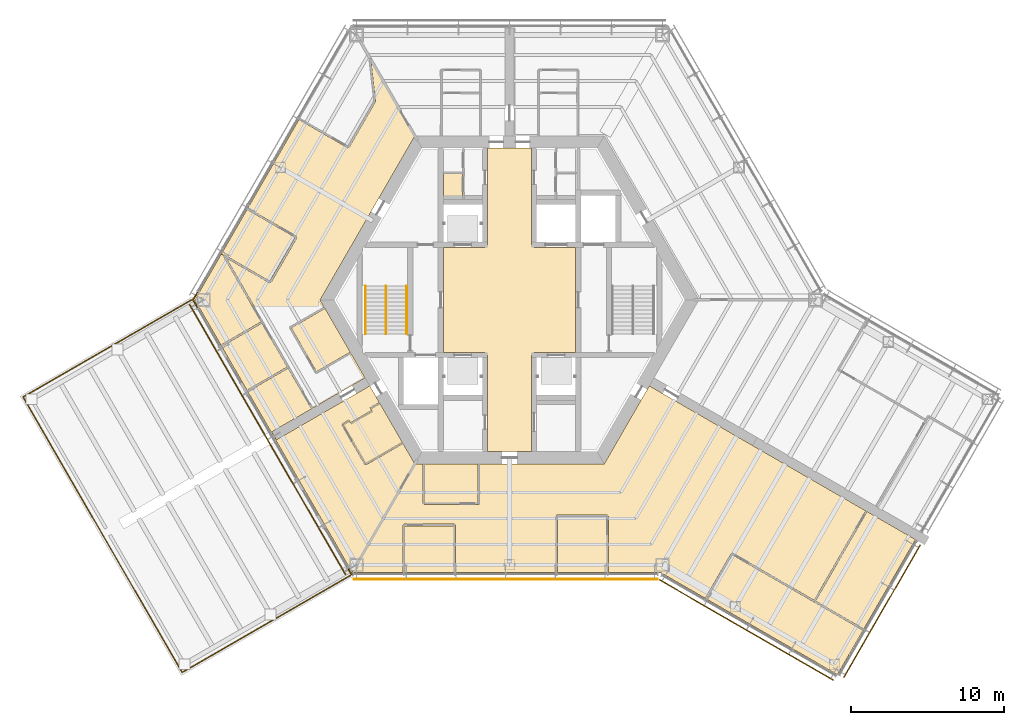
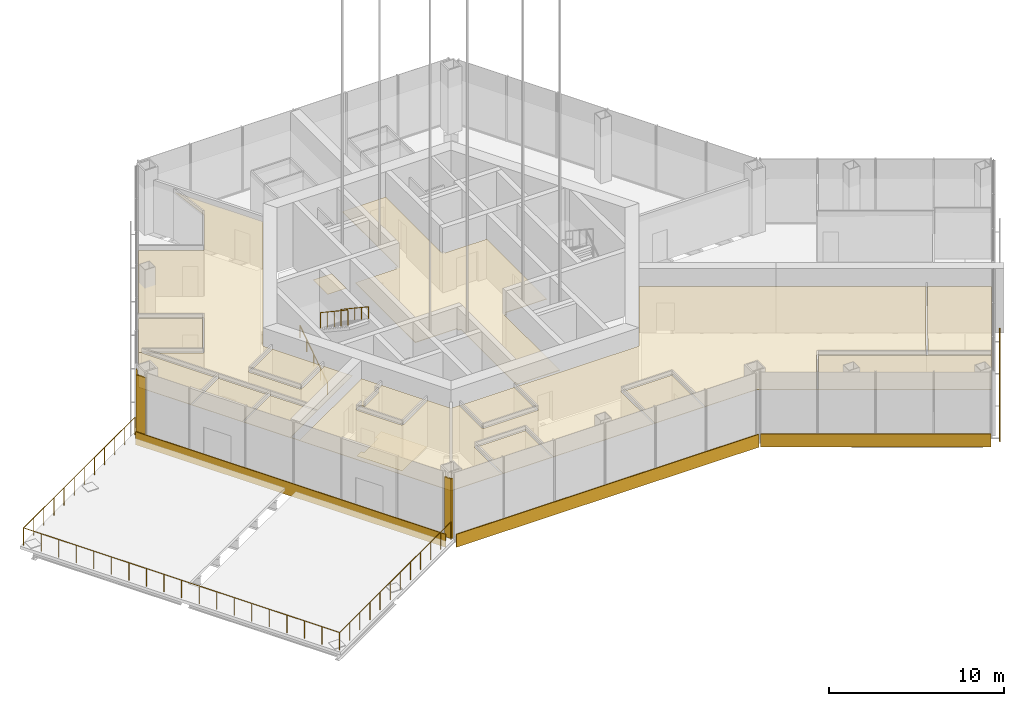
# One storey, part 15 of 17: 19 coverings, 4 railings, 4 shading devices.
"""IFC4 building model written with IfcOpenShell, lengths in metres."""

from ifc_helpers import new_model, si_unit, direction, frame, origin, origin_2d, place, context, subcontext, project, spatial, polyline, rectangle, circle, outline, extrude, material, layer, layer_set, type_object, element, save


model = new_model("IFC4")

# Units and contexts
model_context = context("Model", 3, precision=1e-05, world=origin(), true_north=direction((0.0, 1.0)))
body_context = subcontext(model_context, "Body", "Model", "MODEL_VIEW")
ifc_project = project(units=[si_unit("LENGTHUNIT", "METRE"), si_unit("AREAUNIT", "SQUARE_METRE"), si_unit("VOLUMEUNIT", "CUBIC_METRE"), si_unit("PLANEANGLEUNIT", "RADIAN"), si_unit("MASSUNIT", "GRAM", prefix="KILO")], contexts=[model_context])

# Site, building, storey
site_placement = place(None, origin())
site = spatial("IfcSite", under=ifc_project, at=site_placement, CompositionType="ELEMENT")
building_placement = place(site_placement, origin())
building = spatial("IfcBuilding", under=site, at=building_placement, Name="Kasaneha Research Tower", CompositionType="ELEMENT")
storey_placement = place(building_placement, frame((0.0, 0.0, 208.300048828125)))
storey = spatial("IfcBuildingStorey", under=building, at=storey_placement, Name="L52", CompositionType="ELEMENT", Elevation=208.300048828125)

# Coverings
ifc_material_1 = material(Name="Perforated aluminium acoustic ceiling", Category="aluminium")
ifc_layer_1 = layer(ifc_material_1, 0.030029296875)
ifc_layer_set_1 = layer_set([ifc_layer_1], Name="Acoustic ceiling 30")
covering_type_1 = type_object("IfcCoveringType", Name="Acoustic ceiling 30", PredefinedType="CEILING", material=ifc_layer_set_1)
covering_1_placement = place(storey_placement, frame((0.0, 0.0, 3.199951171875)))
element("IfcCovering", 1, at=covering_1_placement, inside=storey, type_object=covering_type_1, Name="Ceiling L52-36", PredefinedType="CEILING", context=body_context, shape_type="SweptSolid", body=[
    extrude(outline(polyline([(-17.140869140625, 5.952392578125), (-17.12353515625, 5.9423828125), (-17.1484375, 5.899169921875), (-14.0048828125, 4.083984375), (-15.66259765625, 1.212890625), (-18.642578125, 2.933349609375), (-18.66748046875, 2.89013671875), (-18.848388671875, 2.994384765625), (-17.140869140625, 5.952392578125)])), origin(), (0.0, 0.0, 1.0), 0.030029296875),
])
covering_2_placement = place(storey_placement, frame((0.0, 0.0, 3.199951171875)))
element("IfcCovering", 2, at=covering_2_placement, inside=storey, type_object=covering_type_1, Name="Ceiling L52-37", PredefinedType="CEILING", context=body_context, shape_type="SweptSolid", body=[
    extrude(outline(polyline([(-10.38818359375, -3.457275390625), (-10.4052734375, -3.46728515625), (-10.430419921875, -3.423828125), (-12.62158203125, -4.68896484375), (-14.271484375, -1.8310546875), (-12.080322265625, -0.566162109375), (-12.10546875, -0.522705078125), (-12.088134765625, -0.5126953125), (-10.38818359375, -3.457275390625)])), origin(), (0.0, 0.0, 1.0), 0.030029296875),
])
covering_3_placement = place(storey_placement, frame((0.0, 0.0, 3.199951171875)))
element("IfcCovering", 3, at=covering_3_placement, inside=storey, type_object=covering_type_1, Name="Ceiling L52-38", PredefinedType="CEILING", context=body_context, shape_type="SweptSolid", body=[
    extrude(outline(polyline([(-18.848388671875, -2.994384765625), (-18.822509765625, -2.9794921875), (-18.797607421875, -3.02294921875), (-16.183349609375, -1.51904296875), (-14.530517578125, -4.3818359375), (-17.1484375, -5.899169921875), (-17.12353515625, -5.9423828125), (-17.140869140625, -5.952392578125), (-18.848388671875, -2.994384765625)])), origin(), (0.0, 0.0, 1.0), 0.030029296875),
])
covering_4_placement = place(storey_placement, frame((0.0, 0.0, 3.199951171875)))
element("IfcCovering", 4, at=covering_4_placement, inside=storey, type_object=covering_type_1, Name="Ceiling L52-39", PredefinedType="CEILING", context=body_context, shape_type="SweptSolid", body=[
    extrude(outline(polyline([(-15.539794921875, -8.62548828125), (-15.539794921875, -8.62548828125), (-15.3896484375, -8.88525390625), (-15.43310546875, -8.91015625), (-17.140869140625, -5.952392578125), (-17.12353515625, -5.9423828125), (-17.098388671875, -5.985595703125), (-14.48046875, -4.468505859375), (-12.95166015625, -7.108154296875), (-12.908447265625, -7.0830078125), (-12.8984375, -7.100341796875), (-15.539794921875, -8.62548828125), (-15.539794921875, -8.62548828125)])), origin(), (0.0, 0.0, 1.0), 0.030029296875),
])
covering_5_placement = place(storey_placement, frame((0.0, 0.0, 3.199951171875)))
element("IfcCovering", 5, at=covering_5_placement, inside=storey, type_object=covering_type_1, Name="Ceiling L52-40", PredefinedType="CEILING", context=body_context, shape_type="SweptSolid", body=[
    extrude(outline(polyline([(-18.8486328125, 2.99462890625), (-18.667724609375, 2.889892578125), (-18.7109375, 2.864990234375), (-16.2333984375, -1.4326171875), (-18.847412109375, -2.936279296875), (-18.822509765625, -2.9794921875), (-18.848388671875, -2.994384765625), (-20.577880859375, 0.000244140625), (-18.8486328125, 2.99462890625)])), origin(), (0.0, 0.0, 1.0), 0.030029296875),
])
covering_6_placement = place(storey_placement, frame((0.0, 0.0, 3.199951171875)))
element("IfcCovering", 6, at=covering_6_placement, inside=storey, type_object=covering_type_1, Name="Ceiling L52-41", PredefinedType="CEILING", context=body_context, shape_type="SweptSolid", body=[
    extrude(outline(polyline([(-14.340087890625, -1.81298828125), (-14.383056640625, -1.837890625), (-12.68310546875, -4.7822265625), (-12.64013671875, -4.757568359375), (-12.64013671875, -4.757568359375), (-12.639892578125, -4.75732421875), (-12.61474609375, -4.800537109375), (-10.38037109375, -3.510498046875), (-10.405029296875, -3.467529296875), (-10.387939453125, -3.457763671875), (-9.438232421875, -5.102783203125), (-10.30419921875, -5.602783203125), (-10.30419921875, -5.602783203125), (-11.170166015625, -6.102783203125), (-11.170166015625, -6.102783203125), (-12.89794921875, -7.10009765625), (-12.907958984375, -7.082763671875), (-12.864990234375, -7.05810546875), (-14.41650390625, -4.379638671875), (-16.124267578125, -1.421630859375), (-18.53125, 2.75341796875), (-15.669189453125, 1.101318359375), (-15.644287109375, 1.14453125), (-15.643798828125, 1.144287109375), (-15.643798828125, 1.144287109375), (-15.600830078125, 1.119384765625), (-13.893310546875, 4.077392578125), (-13.93603515625, 4.102294921875), (-13.93603515625, 4.1025390625), (-13.936279296875, 4.102783203125), (-13.91162109375, 4.145751953125), (-17.098388671875, 5.985595703125), (-17.123291015625, 5.94287109375), (-17.140380859375, 5.952880859375), (-13.74755859375, 11.82958984375), (-13.7216796875, 11.814453125), (-13.746337890625, 11.771728515625), (-10.568115234375, 9.9365234375), (-10.54296875, 9.97998046875), (-10.542724609375, 9.979736328125), (-10.542724609375, 9.979736328125), (-10.499755859375, 9.954833984375), (-8.76904296875, 12.95068359375), (-8.812255859375, 12.975830078125), (-8.7626953125, 12.9814453125), (-9.077880859375, 15.7236328125), (-6.192138671875, 10.72509765625), (-12.38427734375, 0.0), (-12.08837890625, -0.512451171875), (-12.105712890625, -0.522216796875), (-12.13037109375, -0.4794921875), (-14.36474609375, -1.76953125), (-14.340087890625, -1.8125), (-14.34033203125, -1.812744140625), (-14.340087890625, -1.81298828125)])), origin(), (0.0, 0.0, 1.0), 0.030029296875),
])
covering_7_placement = place(storey_placement, frame((0.0, 0.0, 3.199951171875)))
element("IfcCovering", 7, at=covering_7_placement, inside=storey, type_object=covering_type_1, Name="Ceiling L52-42", PredefinedType="CEILING", context=body_context, shape_type="SweptSolid", body=[
    extrude(outline(polyline([(-10.3798828125, -8.0712890625), (-10.3798828125, -8.0712890625), (-10.35498046875, -8.114501953125), (-8.96923828125, -7.314697265625), (-9.019287109375, -7.22802734375), (-9.019287109375, -7.22802734375), (-9.09423828125, -7.09814453125), (-9.09423828125, -7.09814453125), (-9.0693359375, -7.141357421875), (-8.48046875, -6.801513671875), (-8.50537109375, -6.758056640625), (-8.488037109375, -6.748046875), (-6.988037109375, -9.34619140625), (-7.00537109375, -9.356201171875), (-7.030517578125, -9.31298828125), (-9.394775390625, -10.677978515625), (-10.8447265625, -8.16650390625), (-10.455078125, -7.94140625), (-10.3798828125, -8.0712890625)])), origin(), (0.0, 0.0, 1.0), 0.030029296875),
])
covering_8_placement = place(storey_placement, frame((0.0, 0.0, 3.199951171875)))
element("IfcCovering", 8, at=covering_8_placement, inside=storey, type_object=covering_type_1, Name="Ceiling L52-43", PredefinedType="CEILING", context=body_context, shape_type="SweptSolid", body=[
    extrude(outline(polyline([(-10.8701171875, -6.622314453125), (-10.004150390625, -6.122314453125), (-10.004150390625, -6.122314453125), (-9.13818359375, -5.622314453125), (-8.48828125, -6.747802734375), (-8.505615234375, -6.757568359375), (-8.530517578125, -6.71484375), (-9.119384765625, -7.0546875), (-9.094482421875, -7.09765625), (-9.0947265625, -7.097900390625), (-9.019775390625, -7.228271484375), (-10.404541015625, -8.02783203125), (-10.47998046875, -7.897705078125), (-10.480224609375, -7.897705078125), (-10.5048828125, -7.854736328125), (-10.93798828125, -8.104736328125), (-10.9130859375, -8.148193359375), (-10.956298828125, -8.173095703125), (-9.456298828125, -10.771240234375), (-9.413330078125, -10.746337890625), (-9.413330078125, -10.74658203125), (-9.412841796875, -10.746337890625), (-9.387939453125, -10.78955078125), (-6.98046875, -9.3994140625), (-7.005126953125, -9.356689453125), (-6.98779296875, -9.3466796875), (-6.192138671875, -10.72509765625), (-10.28857421875, -17.820556640625), (-15.43310546875, -8.91015625), (-15.3896484375, -8.88525390625), (-15.23974609375, -9.14501953125), (-15.23974609375, -9.14501953125), (-15.23974609375, -9.14501953125), (-10.8701171875, -6.622314453125), (-10.8701171875, -6.622314453125)])), origin(), (0.0, 0.0, 1.0), 0.030029296875),
])
covering_9_placement = place(storey_placement, frame((0.0, 0.0, 3.199951171875)))
element("IfcCovering", 9, at=covering_9_placement, inside=storey, type_object=covering_type_1, Name="Ceiling L52-47", PredefinedType="CEILING", context=body_context, shape_type="SweptSolid", body=[
    extrude(outline(polyline([(3.077392578125, -17.820556640625), (3.077392578125, -17.800537109375), (3.12744140625, -17.800537109375), (3.12744140625, -14.17041015625), (6.3583984375, -14.17041015625), (6.3583984375, -17.800537109375), (6.408203125, -17.800537109375), (6.408203125, -17.820556640625), (3.077392578125, -17.820556640625)])), origin(), (0.0, 0.0, 1.0), 0.030029296875),
])
covering_10_placement = place(storey_placement, frame((0.0, 0.0, 3.199951171875)))
element("IfcCovering", 10, at=covering_10_placement, inside=storey, type_object=covering_type_1, Name="Ceiling L52-48", PredefinedType="CEILING", context=body_context, shape_type="SweptSolid", body=[
    extrude(outline(polyline([(21.44140625, -24.50390625), (12.84228515625, -19.538818359375), (12.857177734375, -19.5126953125), (12.900390625, -19.537841796875), (14.560546875, -16.66259765625), (19.90771484375, -19.749755859375), (19.90771484375, -19.75), (23.09033203125, -21.58740234375), (23.115234375, -21.544189453125), (23.1416015625, -21.559326171875), (21.44140625, -24.50390625)])), origin(), (0.0, 0.0, 1.0), 0.030029296875),
])
covering_11_placement = place(storey_placement, frame((0.0, 0.0, 3.199951171875)))
element("IfcCovering", 11, at=covering_11_placement, inside=storey, type_object=covering_type_1, Name="Ceiling L52-49", PredefinedType="CEILING", context=body_context, shape_type="SweptSolid", body=[
    extrude(outline(polyline([(23.141357421875, -21.55908203125), (23.115478515625, -21.5439453125), (23.140380859375, -21.5009765625), (20.00927734375, -19.693115234375), (23.370361328125, -13.8623046875), (23.3271484375, -13.83740234375), (23.337158203125, -13.820068359375), (25.53515625, -15.089111328125), (26.541259765625, -15.670166015625), (23.141357421875, -21.55908203125)])), origin(), (0.0, 0.0, 1.0), 0.030029296875),
])
covering_12_placement = place(storey_placement, frame((0.0, 0.0, 3.199951171875)))
element("IfcCovering", 12, at=covering_12_placement, inside=storey, type_object=covering_type_1, Name="Ceiling L52-50", PredefinedType="CEILING", context=body_context, shape_type="SweptSolid", body=[
    extrude(outline(polyline([(-2.0, -10.72509765625), (-2.0, -10.7451171875), (-2.050048828125, -10.7451171875), (-2.050048828125, -13.27490234375), (-5.550048828125, -13.27490234375), (-5.550048828125, -10.7451171875), (-5.60009765625, -10.7451171875), (-5.60009765625, -10.72509765625), (-2.0, -10.72509765625)])), origin(), (0.0, 0.0, 1.0), 0.030029296875),
])
covering_13_placement = place(storey_placement, frame((0.0, 0.0, 3.199951171875)))
element("IfcCovering", 13, at=covering_13_placement, inside=storey, type_object=covering_type_1, Name="Ceiling L52-51", PredefinedType="CEILING", context=body_context, shape_type="SweptSolid", body=[
    extrude(outline(polyline([(-6.91552734375, -17.820556640625), (-6.91552734375, -17.800537109375), (-6.865478515625, -17.800537109375), (-6.865478515625, -14.7705078125), (-3.634521484375, -14.7705078125), (-3.634521484375, -17.800537109375), (-3.58447265625, -17.800537109375), (-3.58447265625, -17.820556640625), (-6.91552734375, -17.820556640625)])), origin(), (0.0, 0.0, 1.0), 0.030029296875),
])
covering_14_placement = place(storey_placement, frame((0.0, 0.0, 3.199951171875)))
element("IfcCovering", 14, at=covering_14_placement, inside=storey, type_object=covering_type_1, Name="Ceiling L52-52", PredefinedType="CEILING", context=body_context, shape_type="SweptSolid", body=[
    extrude(outline(polyline([(-5.6005859375, -10.72509765625), (-5.6005859375, -10.7451171875), (-5.64990234375, -10.7451171875), (-5.64990234375, -13.324951171875), (-5.60009765625, -13.324951171875), (-5.60009765625, -13.325439453125), (-5.60009765625, -13.375), (-2.0, -13.375), (-2.0, -13.325439453125), (-1.999755859375, -13.325439453125), (-1.999755859375, -13.324951171875), (-1.949951171875, -13.324951171875), (-1.949951171875, -10.7451171875), (-1.99951171875, -10.7451171875), (-1.99951171875, -10.72509765625), (6.192138671875, -10.72509765625), (9.13818359375, -5.622314453125), (10.004150390625, -6.122314453125), (10.004150390625, -6.122314453125), (10.8701171875, -6.622314453125), (10.8701171875, -6.622314453125), (23.336669921875, -13.81982421875), (23.32666015625, -13.837158203125), (23.28369140625, -13.8125), (19.922607421875, -19.64306640625), (14.567138671875, -16.551025390625), (14.54248046875, -16.593994140625), (14.542236328125, -16.59375), (14.5419921875, -16.59423828125), (14.498779296875, -16.5693359375), (12.81396484375, -19.48779296875), (12.856689453125, -19.512451171875), (12.841796875, -19.53857421875), (9.865966796875, -17.820556640625), (6.40869140625, -17.820556640625), (6.40869140625, -17.800537109375), (6.458251953125, -17.800537109375), (6.458251953125, -14.12060546875), (6.408447265625, -14.12060546875), (6.408447265625, -14.1201171875), (6.408203125, -14.1201171875), (6.408203125, -14.070556640625), (3.077392578125, -14.070556640625), (3.077392578125, -14.1201171875), (3.076904296875, -14.1201171875), (3.076904296875, -14.12060546875), (3.02734375, -14.12060546875), (3.02734375, -17.800537109375), (3.076904296875, -17.800537109375), (3.076904296875, -17.820556640625), (-3.583984375, -17.820556640625), (-3.583984375, -17.800537109375), (-3.534423828125, -17.800537109375), (-3.534423828125, -14.720458984375), (-3.58447265625, -14.720458984375), (-3.58447265625, -14.67041015625), (-6.91552734375, -14.67041015625), (-6.91552734375, -14.72021484375), (-6.915771484375, -14.72021484375), (-6.915771484375, -14.720458984375), (-6.965576171875, -14.720458984375), (-6.965576171875, -17.800537109375), (-6.916015625, -17.800537109375), (-6.916015625, -17.820556640625), (-10.28857421875, -17.820556640625), (-6.192138671875, -10.72509765625), (-5.6005859375, -10.72509765625)])), origin(), (0.0, 0.0, 1.0), 0.030029296875),
])
ifc_material_2 = material(Name="Terracotta", Category="masonry")
covering_type_2 = type_object("IfcCoveringType", Name="Corner pier cladding", PredefinedType="CLADDING", material=ifc_material_2)
covering_15_placement = place(storey_placement, origin())
element("IfcCovering", 15, at=covering_15_placement, inside=storey, type_object=covering_type_2, Name="Corner pier cladding L52 V3", PredefinedType="CLADDING", context=body_context, shape_type="SweptSolid", body=[
    extrude(outline(polyline([(-20.348388671875, 0.496337890625), (-20.375244140625, 0.449951171875), (-20.449951171875, 0.449951171875), (-20.449951171875, 0.320556640625), (-20.635009765625, 0.0), (-20.449951171875, -0.320556640625), (-20.449951171875, -0.449951171875), (-20.375244140625, -0.449951171875), (-20.348388671875, -0.496337890625), (-20.426513671875, -0.54150390625), (-20.739013671875, 0.0), (-20.426513671875, 0.54150390625), (-20.348388671875, 0.496337890625)])), origin(), (0.0, 0.0, 1.0), 4.15185546875),
])
covering_16_placement = place(storey_placement, origin())
element("IfcCovering", 16, at=covering_16_placement, inside=storey, type_object=covering_type_2, Name="Corner pier cladding L52 V4", PredefinedType="CLADDING", context=body_context, shape_type="SweptSolid", body=[
    extrude(outline(polyline([(-10.511474609375, -17.53466796875), (-10.449951171875, -17.64111328125), (-10.449951171875, -17.7705078125), (-10.375244140625, -17.7705078125), (-10.317626953125, -17.87060546875), (-10.247314453125, -17.87060546875), (-10.247314453125, -17.96044921875), (-10.369384765625, -17.96044921875), (-10.58935546875, -17.57958984375), (-10.511474609375, -17.53466796875)])), origin(), (0.0, 0.0, 1.0), 4.15185546875),
])
ifc_material_3 = material(Name="Aluminium panel ceiling", Category="aluminium")
ifc_layer_2 = layer(ifc_material_3, 0.0400390625)
ifc_layer_set_2 = layer_set([ifc_layer_2], Name="Lift lobby ceiling 40")
covering_type_3 = type_object("IfcCoveringType", Name="Lift lobby ceiling 40", PredefinedType="CEILING", material=ifc_layer_set_2)
covering_17_placement = place(storey_placement, frame((0.0, 0.0, 2.699951171875)))
element("IfcCovering", 17, at=covering_17_placement, inside=storey, type_object=covering_type_3, Name="Ceiling L52-01", PredefinedType="CEILING", context=body_context, shape_type="SweptSolid", body=[
    extrude(outline(polyline([(1.425048828125, 9.925048828125), (1.425048828125, 3.60009765625), (1.60009765625, 3.60009765625), (1.60009765625, 3.425048828125), (4.324951171875, 3.425048828125), (4.324951171875, -3.425048828125), (1.60009765625, -3.425048828125), (1.60009765625, -3.60009765625), (1.425048828125, -3.60009765625), (1.425048828125, -9.925048828125), (-1.425048828125, -9.925048828125), (-1.425048828125, -3.60009765625), (-1.60009765625, -3.60009765625), (-1.60009765625, -3.425048828125), (-4.324951171875, -3.425048828125), (-4.324951171875, 3.425048828125), (-1.60009765625, 3.425048828125), (-1.60009765625, 3.60009765625), (-1.425048828125, 3.60009765625), (-1.425048828125, 9.925048828125), (1.425048828125, 9.925048828125)])), origin(), (0.0, 0.0, 1.0), 0.0400390625),
])

# Railings
ifc_material_4 = material(Name="Steel", Category="steel")
railing_type_1 = type_object("IfcRailingType", Name="Stair balustrade 1100", PredefinedType="GUARDRAIL", material=ifc_material_4)
railing_1_placement = place(storey_placement, frame((-8.074951171875, 0.89501953125, 2.423095703125)))
element("IfcRailing", 18, at=railing_1_placement, inside=storey, type_object=railing_type_1, Name="Stair 2 balustrade L52", PredefinedType="GUARDRAIL", context=body_context, shape_type="SweptSolid", body=[
    extrude(circle(Radius=0.02392578125, at=origin_2d()), frame((0.0, 0.0, 1.076171875), z_axis=(0.0, -0.83244090515, 0.554113832559), x_axis=(1.0, 0.0, 0.0)), (0.0, 0.0, 1.0), 3.748046875),
    extrude(circle(Radius=0.02099609375, at=origin_2d()), origin(), (0.0, 0.0, 1.0), 1.052001953125),
    extrude(circle(Radius=0.02099609375, at=origin_2d()), frame((0.0, -0.780029296875, 0.519287109375)), (0.0, 0.0, 1.0), 1.052001953125),
    extrude(circle(Radius=0.02099609375, at=origin_2d()), frame((0.0, -1.56005859375, 1.03857421875)), (0.0, 0.0, 1.0), 1.052001953125),
    extrude(circle(Radius=0.02099609375, at=origin_2d()), frame((0.0, -2.340087890625, 1.5576171875)), (0.0, 0.0, 1.0), 1.052001953125),
    extrude(circle(Radius=0.02099609375, at=origin_2d()), frame((0.0, -3.1201171875, 2.076904296875)), (0.0, 0.0, 1.0), 1.052001953125),
])
ifc_material_5 = material(Name="Steel", Category="steel")
railing_type_2 = type_object("IfcRailingType", Name="Stair handrail 850", PredefinedType="HANDRAIL", material=ifc_material_5)
railing_2_placement = place(storey_placement, frame((-9.425048828125, -2.22509765625, 0.173095703125)))
element("IfcRailing", 19, at=railing_2_placement, inside=storey, type_object=railing_type_2, Name="Stair 2 handrail L52", PredefinedType="HANDRAIL", context=body_context, shape_type="SweptSolid", body=[
    extrude(circle(Radius=0.02392578125, at=origin_2d()), frame((0.0, 0.0, 0.826171875), z_axis=(0.0, 0.83244090515, 0.554113832559), x_axis=(-1.0, 0.0, 0.0)), (0.0, 0.0, 1.0), 3.748046875),
    extrude(circle(Radius=0.02099609375, at=origin_2d()), origin(), (0.0, 0.0, 1.0), 0.802001953125),
    extrude(circle(Radius=0.02099609375, at=origin_2d()), frame((0.0, 0.780029296875, 0.519287109375)), (0.0, 0.0, 1.0), 0.802001953125),
    extrude(circle(Radius=0.02099609375, at=origin_2d()), frame((0.0, 1.56005859375, 1.03857421875)), (0.0, 0.0, 1.0), 0.802001953125),
    extrude(circle(Radius=0.02099609375, at=origin_2d()), frame((0.0, 2.340087890625, 1.5576171875)), (0.0, 0.0, 1.0), 0.802001953125),
    extrude(circle(Radius=0.02099609375, at=origin_2d()), frame((0.0, 3.1201171875, 2.076904296875)), (0.0, 0.0, 1.0), 0.802001953125),
])
railing_3_placement = place(storey_placement, frame((-6.72509765625, 0.89501953125, 2.423095703125)))
element("IfcRailing", 20, at=railing_3_placement, inside=storey, type_object=railing_type_2, Name="Stair 2 handrail L52", PredefinedType="HANDRAIL", context=body_context, shape_type="SweptSolid", body=[
    extrude(circle(Radius=0.02392578125, at=origin_2d()), frame((0.0, 0.0, 0.826171875), z_axis=(0.0, -0.83244090515, 0.554113832559), x_axis=(1.0, 0.0, 0.0)), (0.0, 0.0, 1.0), 3.748046875),
    extrude(circle(Radius=0.02099609375, at=origin_2d()), origin(), (0.0, 0.0, 1.0), 0.802001953125),
    extrude(circle(Radius=0.02099609375, at=origin_2d()), frame((0.0, -0.780029296875, 0.519287109375)), (0.0, 0.0, 1.0), 0.802001953125),
    extrude(circle(Radius=0.02099609375, at=origin_2d()), frame((0.0, -1.56005859375, 1.03857421875)), (0.0, 0.0, 1.0), 0.802001953125),
    extrude(circle(Radius=0.02099609375, at=origin_2d()), frame((0.0, -2.340087890625, 1.5576171875)), (0.0, 0.0, 1.0), 0.802001953125),
    extrude(circle(Radius=0.02099609375, at=origin_2d()), frame((0.0, -3.1201171875, 2.076904296875)), (0.0, 0.0, 1.0), 0.802001953125),
])
ifc_material_6 = material(Name="Steel and laminated glass", Category="steel")
railing_type_3 = type_object("IfcRailingType", Name="Terrace guard 1250", PredefinedType="GUARDRAIL", material=ifc_material_6)
railing_4_placement = place(storey_placement, frame((-10.40625, -18.016845703125, 0.0)))
element("IfcRailing", 21, at=railing_4_placement, inside=storey, type_object=railing_type_3, Name="Terrace guard B L52", PredefinedType="GUARDRAIL", context=body_context, shape_type="SweptSolid", body=[
    extrude(circle(Radius=0.02392578125, at=origin_2d()), frame((0.0, 0.0, 1.22607421875), z_axis=(-0.866022320763, -0.500005339912, 0.0), x_axis=(0.500005339912, -0.866022320763, 0.0)), (0.0, 0.0, 1.0), 12.699951171875),
    extrude(circle(Radius=0.02392578125, at=origin_2d()), frame((-10.99853515625, -6.35009765625, 1.22607421875), z_axis=(-0.499994410779, 0.866028630699, 0.0), x_axis=(-0.866028630699, -0.499994410779, 0.0)), (0.0, 0.0, 1.0), 20.800048828125),
    extrude(circle(Radius=0.02392578125, at=origin_2d()), frame((-21.3984375, 11.663330078125, 1.22607421875), z_axis=(0.866030644837, 0.499990922121, 0.0), x_axis=(-0.499990922121, 0.866030644837, 0.0)), (0.0, 0.0, 1.0), 12.699951171875),
    extrude(circle(Radius=0.02099609375, at=origin_2d()), origin(), (0.0, 0.0, 1.0), 1.201904296875),
    extrude(circle(Radius=0.02099609375, at=origin_2d()), frame((-0.999755859375, -0.577392578125, 0.0)), (0.0, 0.0, 1.0), 1.201904296875),
    extrude(circle(Radius=0.02099609375, at=origin_2d()), frame((-1.999755859375, -1.154541015625, 0.0)), (0.0, 0.0, 1.0), 1.201904296875),
    extrude(circle(Radius=0.02099609375, at=origin_2d()), frame((-2.99951171875, -1.73193359375, 0.0)), (0.0, 0.0, 1.0), 1.201904296875),
    extrude(circle(Radius=0.02099609375, at=origin_2d()), frame((-3.99951171875, -2.30908203125, 0.0)), (0.0, 0.0, 1.0), 1.201904296875),
    extrude(circle(Radius=0.02099609375, at=origin_2d()), frame((-4.999267578125, -2.886474609375, 0.0)), (0.0, 0.0, 1.0), 1.201904296875),
    extrude(circle(Radius=0.02099609375, at=origin_2d()), frame((-5.999267578125, -3.463623046875, 0.0)), (0.0, 0.0, 1.0), 1.201904296875),
    extrude(circle(Radius=0.02099609375, at=origin_2d()), frame((-6.9990234375, -4.041015625, 0.0)), (0.0, 0.0, 1.0), 1.201904296875),
    extrude(circle(Radius=0.02099609375, at=origin_2d()), frame((-7.9990234375, -4.6181640625, 0.0)), (0.0, 0.0, 1.0), 1.201904296875),
    extrude(circle(Radius=0.02099609375, at=origin_2d()), frame((-8.998779296875, -5.195556640625, 0.0)), (0.0, 0.0, 1.0), 1.201904296875),
    extrude(circle(Radius=0.02099609375, at=origin_2d()), frame((-9.998779296875, -5.772705078125, 0.0)), (0.0, 0.0, 1.0), 1.201904296875),
    extrude(circle(Radius=0.02099609375, at=origin_2d()), frame((-10.99853515625, -6.35009765625, 0.0)), (0.0, 0.0, 1.0), 1.201904296875),
    extrude(circle(Radius=0.02099609375, at=origin_2d()), frame((-11.576416015625, -5.349365234375, 0.0)), (0.0, 0.0, 1.0), 1.201904296875),
    extrude(circle(Radius=0.02099609375, at=origin_2d()), frame((-12.154052734375, -4.3486328125, 0.0)), (0.0, 0.0, 1.0), 1.201904296875),
    extrude(circle(Radius=0.02099609375, at=origin_2d()), frame((-12.73193359375, -3.347900390625, 0.0)), (0.0, 0.0, 1.0), 1.201904296875),
    extrude(circle(Radius=0.02099609375, at=origin_2d()), frame((-13.3095703125, -2.34716796875, 0.0)), (0.0, 0.0, 1.0), 1.201904296875),
    extrude(circle(Radius=0.02099609375, at=origin_2d()), frame((-13.887451171875, -1.346435546875, 0.0)), (0.0, 0.0, 1.0), 1.201904296875),
    extrude(circle(Radius=0.02099609375, at=origin_2d()), frame((-14.465087890625, -0.345703125, 0.0)), (0.0, 0.0, 1.0), 1.201904296875),
    extrude(circle(Radius=0.02099609375, at=origin_2d()), frame((-15.04296875, 0.655029296875, 0.0)), (0.0, 0.0, 1.0), 1.201904296875),
    extrude(circle(Radius=0.02099609375, at=origin_2d()), frame((-15.62060546875, 1.65576171875, 0.0)), (0.0, 0.0, 1.0), 1.201904296875),
    extrude(circle(Radius=0.02099609375, at=origin_2d()), frame((-16.198486328125, 2.65673828125, 0.0)), (0.0, 0.0, 1.0), 1.201904296875),
    extrude(circle(Radius=0.02099609375, at=origin_2d()), frame((-16.7763671875, 3.657470703125, 0.0)), (0.0, 0.0, 1.0), 1.201904296875),
    extrude(circle(Radius=0.02099609375, at=origin_2d()), frame((-17.35400390625, 4.658203125, 0.0)), (0.0, 0.0, 1.0), 1.201904296875),
    extrude(circle(Radius=0.02099609375, at=origin_2d()), frame((-17.931884765625, 5.658935546875, 0.0)), (0.0, 0.0, 1.0), 1.201904296875),
    extrude(circle(Radius=0.02099609375, at=origin_2d()), frame((-18.509521484375, 6.65966796875, 0.0)), (0.0, 0.0, 1.0), 1.201904296875),
    extrude(circle(Radius=0.02099609375, at=origin_2d()), frame((-19.08740234375, 7.660400390625, 0.0)), (0.0, 0.0, 1.0), 1.201904296875),
    extrude(circle(Radius=0.02099609375, at=origin_2d()), frame((-19.6650390625, 8.6611328125, 0.0)), (0.0, 0.0, 1.0), 1.201904296875),
    extrude(circle(Radius=0.02099609375, at=origin_2d()), frame((-20.242919921875, 9.661865234375, 0.0)), (0.0, 0.0, 1.0), 1.201904296875),
    extrude(circle(Radius=0.02099609375, at=origin_2d()), frame((-20.820556640625, 10.66259765625, 0.0)), (0.0, 0.0, 1.0), 1.201904296875),
    extrude(circle(Radius=0.02099609375, at=origin_2d()), frame((-21.3984375, 11.663330078125, 0.0)), (0.0, 0.0, 1.0), 1.201904296875),
    extrude(circle(Radius=0.02099609375, at=origin_2d()), frame((-20.398681640625, 12.240478515625, 0.0)), (0.0, 0.0, 1.0), 1.201904296875),
    extrude(circle(Radius=0.02099609375, at=origin_2d()), frame((-19.398681640625, 12.81787109375, 0.0)), (0.0, 0.0, 1.0), 1.201904296875),
    extrude(circle(Radius=0.02099609375, at=origin_2d()), frame((-18.39892578125, 13.39501953125, 0.0)), (0.0, 0.0, 1.0), 1.201904296875),
    extrude(circle(Radius=0.02099609375, at=origin_2d()), frame((-17.39892578125, 13.972412109375, 0.0)), (0.0, 0.0, 1.0), 1.201904296875),
    extrude(circle(Radius=0.02099609375, at=origin_2d()), frame((-16.399169921875, 14.549560546875, 0.0)), (0.0, 0.0, 1.0), 1.201904296875),
    extrude(circle(Radius=0.02099609375, at=origin_2d()), frame((-15.399169921875, 15.126953125, 0.0)), (0.0, 0.0, 1.0), 1.201904296875),
    extrude(circle(Radius=0.02099609375, at=origin_2d()), frame((-14.3994140625, 15.7041015625, 0.0)), (0.0, 0.0, 1.0), 1.201904296875),
    extrude(circle(Radius=0.02099609375, at=origin_2d()), frame((-13.3994140625, 16.281494140625, 0.0)), (0.0, 0.0, 1.0), 1.201904296875),
    extrude(circle(Radius=0.02099609375, at=origin_2d()), frame((-12.399658203125, 16.858642578125, 0.0)), (0.0, 0.0, 1.0), 1.201904296875),
    extrude(circle(Radius=0.02099609375, at=origin_2d()), frame((-11.399658203125, 17.43603515625, 0.0)), (0.0, 0.0, 1.0), 1.201904296875),
    extrude(circle(Radius=0.02099609375, at=origin_2d()), frame((-10.39990234375, 18.01318359375, 0.0)), (0.0, 0.0, 1.0), 1.201904296875),
])

# Shading devices
ifc_material_7 = material(Name="Terracotta", Category="masonry")
ifc_layer_3 = layer(ifc_material_7, 0.06005859375)
ifc_layer_set_3 = layer_set([ifc_layer_3], Name="Terracotta baguette screen")
shading_device_type = type_object("IfcShadingDeviceType", Name="Terracotta baguette screen", PredefinedType="USERDEFINED", material=ifc_layer_set_3)
shading_device_1_placement = place(storey_placement, frame((-15.82275390625, -9.13525390625, -0.449951171875), z_axis=(0.0, 0.0, 1.0), x_axis=(0.499999995722, -0.866025406254, 0.0)))
element("IfcShadingDevice", 22, at=shading_device_1_placement, inside=storey, type_object=shading_device_type, Name="Baguette screen L52 04", ObjectType="TERRACOTTA BAGUETTE SCREEN", PredefinedType="USERDEFINED", context=body_context, shape_type="SweptSolid", body=[
    extrude(rectangle(XDim=20.392822265625, YDim=0.06005859375, at=origin_2d()), origin(), (0.0, 0.0, 1.0), 0.89990234375),
])
shading_device_2_placement = place(storey_placement, frame((-0.253662109375, -18.2705078125, -0.449951171875), z_axis=(0.0, 0.0, 1.0), x_axis=(1.0, 0.0, 0.0)))
element("IfcShadingDevice", 23, at=shading_device_2_placement, inside=storey, type_object=shading_device_type, Name="Baguette screen L52 05", ObjectType="TERRACOTTA BAGUETTE SCREEN", PredefinedType="USERDEFINED", context=body_context, shape_type="SweptSolid", body=[
    extrude(rectangle(XDim=19.8857421875, YDim=0.06005859375, at=origin_2d()), origin(), (0.0, 0.0, 1.0), 0.89990234375),
])
shading_device_3_placement = place(storey_placement, frame((15.483642578125, -21.58349609375, -0.449951171875), z_axis=(0.0, 0.0, 1.0), x_axis=(0.866025411464, -0.499999986699, 0.0)))
element("IfcShadingDevice", 24, at=shading_device_3_placement, inside=storey, type_object=shading_device_type, Name="Baguette screen L52 06", ObjectType="TERRACOTTA BAGUETTE SCREEN", PredefinedType="USERDEFINED", context=body_context, shape_type="SweptSolid", body=[
    extrude(rectangle(XDim=13.13916015625, YDim=0.06005859375, at=origin_2d()), origin(), (0.0, 0.0, 1.0), 0.89990234375),
])
shading_device_4_placement = place(storey_placement, frame((24.35595703125, -20.35498046875, -0.449951171875), z_axis=(0.0, 0.0, 1.0), x_axis=(0.500000011442, 0.866025397178, 0.0)))
element("IfcShadingDevice", 25, at=shading_device_4_placement, inside=storey, type_object=shading_device_type, Name="Baguette screen L52 07", ObjectType="TERRACOTTA BAGUETTE SCREEN", PredefinedType="USERDEFINED", context=body_context, shape_type="SweptSolid", body=[
    extrude(rectangle(XDim=10.0, YDim=0.06005859375, at=origin_2d()), origin(), (0.0, 0.0, 1.0), 0.89990234375),
])

# Coverings
ifc_material_8 = material(Name="Vinyl sheet flooring", Category="plastic")
ifc_layer_4 = layer(ifc_material_8, 0.0048828125)
ifc_layer_set_4 = layer_set([ifc_layer_4], Name="Wet room sheet flooring 5")
covering_type_4 = type_object("IfcCoveringType", Name="Wet room sheet flooring 5", PredefinedType="FLOORING", material=ifc_layer_set_4)
covering_18_placement = place(storey_placement, origin())
element("IfcCovering", 26, at=covering_18_placement, inside=storey, type_object=covering_type_4, Name="Floor finish L52-07", PredefinedType="FLOORING", context=body_context, shape_type="SweptSolid", body=[
    extrude(outline(polyline([(-4.324951171875, 6.574951171875), (-4.324951171875, 8.25), (-3.074951171875, 8.25), (-3.074951171875, 6.574951171875), (-4.324951171875, 6.574951171875)])), origin(), (0.0, 0.0, 1.0), 0.0048828125),
])
covering_19_placement = place(storey_placement, origin())
element("IfcCovering", 27, at=covering_19_placement, inside=storey, type_object=covering_type_4, Name="Floor finish L52-42", PredefinedType="FLOORING", context=body_context, shape_type="SweptSolid", body=[
    extrude(outline(polyline([(-10.9130859375, -8.148193359375), (-10.47998046875, -7.898193359375), (-10.3798828125, -8.0712890625), (-8.994384765625, -7.271240234375), (-9.09423828125, -7.09814453125), (-8.488037109375, -6.748046875), (-6.988037109375, -9.34619140625), (-9.4130859375, -10.746337890625), (-10.9130859375, -8.148193359375)])), origin(), (0.0, 0.0, 1.0), 0.0048828125),
])

save(model, "model.ifc")
